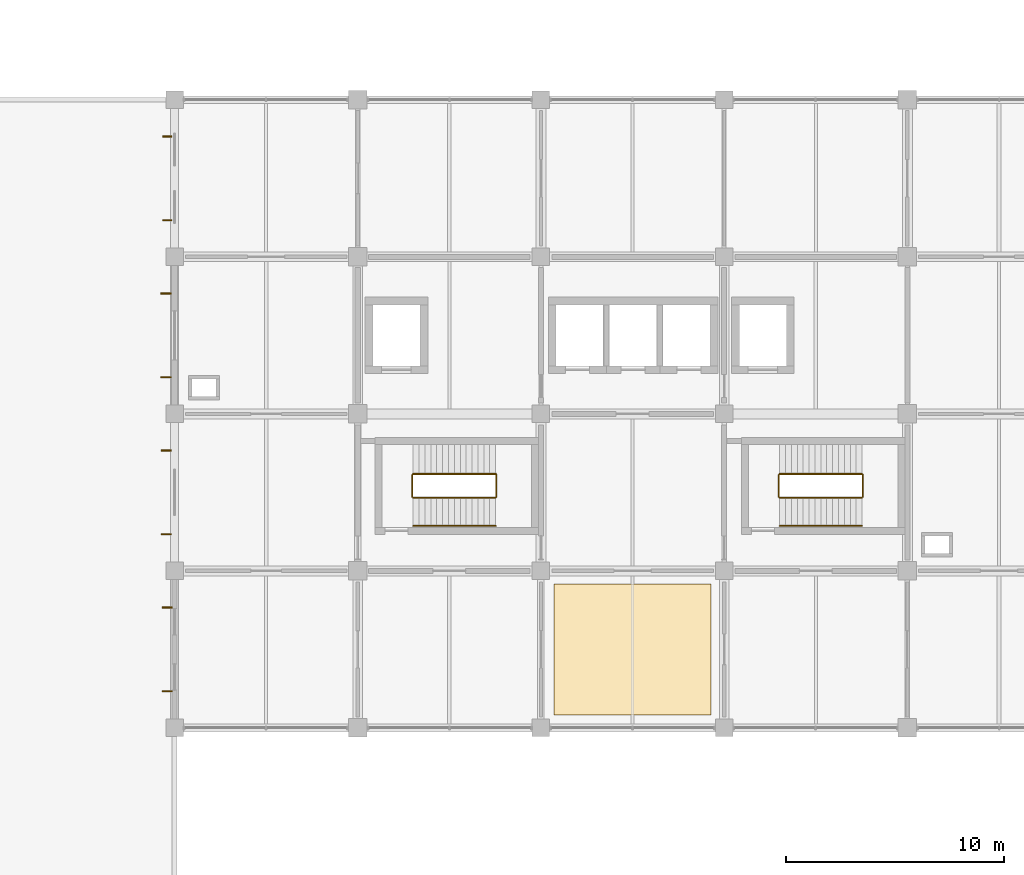
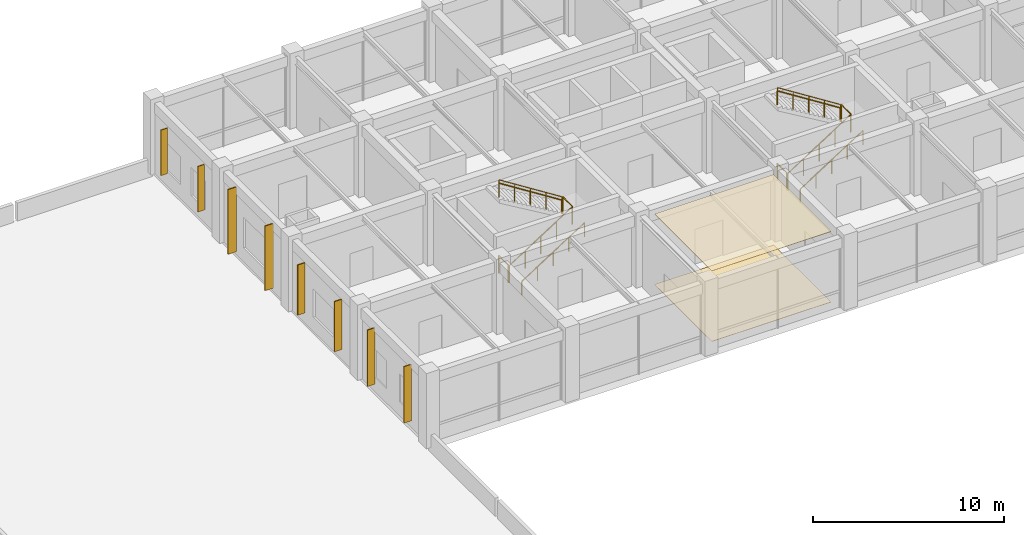
# One storey, part 44 of 45: 12 railings, 8 shading devices, 2 coverings.
"""IFC4 building model written with IfcOpenShell, lengths in metres."""

from ifc_helpers import new_model, si_unit, derived_unit, direction, frame, origin, origin_2d, place, context, subcontext, project, spatial, polyline, rectangle, circle, outline, extrude, material, layer, layer_set, type_object, element, save


model = new_model("IFC4")

# Units and contexts
model_context = context("Model", 3, precision=1e-05, world=origin(), true_north=direction((0.0, 1.0)))
body_context = subcontext(model_context, "Body", "Model", "MODEL_VIEW")
ifc_project = project(units=[si_unit("LENGTHUNIT", "METRE"), si_unit("AREAUNIT", "SQUARE_METRE"), si_unit("VOLUMEUNIT", "CUBIC_METRE"), si_unit("PLANEANGLEUNIT", "RADIAN"), si_unit("MASSUNIT", "GRAM", prefix="KILO"), derived_unit("THERMALTRANSMITTANCEUNIT", [(si_unit("MASSUNIT", "GRAM", prefix="KILO"), 1), (si_unit("TIMEUNIT", "SECOND"), -3), (si_unit("THERMODYNAMICTEMPERATUREUNIT", "KELVIN"), -1)])], contexts=[model_context])

# Site, building, storey
site_placement = place(None, origin())
site = spatial("IfcSite", under=ifc_project, at=site_placement, CompositionType="ELEMENT")
building_placement = place(site_placement, origin())
building = spatial("IfcBuilding", under=site, at=building_placement, Name="Veldstrom Oceanarium and Marine Research Institute", CompositionType="ELEMENT")
storey_placement = place(building_placement, frame((0.0, 0.0, 22.199951171875)))
storey = spatial("IfcBuildingStorey", under=building, at=storey_placement, Name="L04", CompositionType="ELEMENT", Elevation=22.199951171875)

# Coverings
ifc_material_1 = material(Name="Mineral-Fibre Acoustic Ceiling Tile", Category="gypsum")
ifc_layer_1 = layer(ifc_material_1, 0.02490234375)
ifc_layer_set_1 = layer_set([ifc_layer_1], Name="ARC-COV-CL1")
covering_type_1 = type_object("IfcCoveringType", Name="ARC-COV-CL1", PredefinedType="CEILING", material=ifc_layer_set_1)
covering_1_placement = place(storey_placement, frame((0.0, 0.0, 4.4951171875)))
element("IfcCovering", 1, at=covering_1_placement, inside=storey, type_object=covering_type_1, Name="Suspended Acoustic Ceiling L04", PredefinedType="CEILING", context=body_context, shape_type="SweptSolid", body=[
    extrude(outline(polyline([(84.60009765625, 43.800048828125), (91.800048828125, 43.800048828125), (91.800048828125, 49.800048828125), (84.60009765625, 49.800048828125), (84.60009765625, 43.800048828125)])), origin(), (0.0, 0.0, 1.0), 0.02490234375),
])
ifc_material_2 = material(Name="Polished Terrazzo and Marine Epoxy Flooring", Category="concrete")
ifc_layer_2 = layer(ifc_material_2, 0.02001953125)
ifc_layer_set_2 = layer_set([ifc_layer_2], Name="ARC-COV-FL1")
covering_type_2 = type_object("IfcCoveringType", Name="ARC-COV-FL1", PredefinedType="FLOORING", material=ifc_layer_set_2)
covering_2_placement = place(storey_placement, origin())
element("IfcCovering", 2, at=covering_2_placement, inside=storey, type_object=covering_type_2, Name="Terrazzo and Marine Epoxy Floor Finish L04", PredefinedType="FLOORING", context=body_context, shape_type="SweptSolid", body=[
    extrude(outline(polyline([(84.60009765625, 43.800048828125), (91.800048828125, 43.800048828125), (91.800048828125, 49.800048828125), (84.60009765625, 49.800048828125), (84.60009765625, 43.800048828125)])), origin(), (0.0, 0.0, 1.0), 0.02001953125),
])

# Railings
ifc_material_3 = material(Name="Duplex Stainless Steel Balustrade", Category="steel")
ifc_layer_3 = layer(ifc_material_3, 0.06005859375)
ifc_layer_set_3 = layer_set([ifc_layer_3], Name="ARC-RLG-GR1")
railing_type_1 = type_object("IfcRailingType", Name="ARC-RLG-GR1", PredefinedType="GUARDRAIL", material=ifc_layer_set_3)
railing_1_placement = place(storey_placement, frame((78.10009765625, 53.800048828125, 0.0)))
element("IfcRailing", 3, at=railing_1_placement, inside=storey, type_object=railing_type_1, Name="Stair Well Landing Guard ST1 L04", PredefinedType="GUARDRAIL", context=body_context, shape_type="SweptSolid", body=[
    extrude(circle(Radius=0.02392578125, at=origin_2d()), frame((0.0, 0.0, 1.09619140625), z_axis=(0.0, 1.0, 0.0), x_axis=(-1.0, 0.0, 0.0)), (0.0, 0.0, 1.0), 1.0),
    extrude(circle(Radius=0.02099609375, at=origin_2d()), origin(), (0.0, 0.0, 1.0), 1.072021484375),
    extrude(circle(Radius=0.02099609375, at=origin_2d()), frame((0.0, 1.0, 0.0)), (0.0, 0.0, 1.0), 1.072021484375),
])
railing_2_placement = place(storey_placement, frame((78.139892578125, 53.760009765625, 0.0)))
element("IfcRailing", 4, at=railing_2_placement, inside=storey, type_object=railing_type_1, Name="Stair Flight Guardrail ST1-L04-1", PredefinedType="GUARDRAIL", context=body_context, shape_type="SweptSolid", body=[
    extrude(circle(Radius=0.02392578125, at=origin_2d()), frame((0.0, 0.0, 1.09619140625), z_axis=(0.844199891302, 0.0, 0.536028491338), x_axis=(0.0, 1.0, 0.0)), (0.0, 0.0, 1.0), 4.4775390625),
    extrude(circle(Radius=0.02099609375, at=origin_2d()), origin(), (0.0, 0.0, 1.0), 1.072021484375),
    extrude(circle(Radius=0.02099609375, at=origin_2d()), frame((0.945068359375, 0.0, 0.60009765625)), (0.0, 0.0, 1.0), 1.072021484375),
    extrude(circle(Radius=0.02099609375, at=origin_2d()), frame((1.89013671875, 0.0, 1.2001953125)), (0.0, 0.0, 1.0), 1.072021484375),
    extrude(circle(Radius=0.02099609375, at=origin_2d()), frame((2.8349609375, 0.0, 1.800048828125)), (0.0, 0.0, 1.0), 1.072021484375),
    extrude(circle(Radius=0.02099609375, at=origin_2d()), frame((3.780029296875, 0.0, 2.400146484375)), (0.0, 0.0, 1.0), 1.072021484375),
])
railing_3_placement = place(storey_placement, frame((81.9599609375, 53.800048828125, 2.400146484375)))
element("IfcRailing", 5, at=railing_3_placement, inside=storey, type_object=railing_type_1, Name="Stair Half-Landing Guardrail ST1-L04", PredefinedType="GUARDRAIL", context=body_context, shape_type="SweptSolid", body=[
    extrude(circle(Radius=0.02392578125, at=origin_2d()), frame((0.0, 0.0, 1.09619140625), z_axis=(0.0, 1.0, 0.0), x_axis=(-1.0, 0.0, 0.0)), (0.0, 0.0, 1.0), 1.0),
    extrude(circle(Radius=0.02099609375, at=origin_2d()), origin(), (0.0, 0.0, 1.0), 1.072021484375),
    extrude(circle(Radius=0.02099609375, at=origin_2d()), frame((0.0, 1.0, 0.0)), (0.0, 0.0, 1.0), 1.072021484375),
])
railing_4_placement = place(storey_placement, frame((81.919921875, 54.840087890625, 2.400146484375)))
element("IfcRailing", 6, at=railing_4_placement, inside=storey, type_object=railing_type_1, Name="Stair Flight Guardrail ST1-L04-2", PredefinedType="GUARDRAIL", context=body_context, shape_type="SweptSolid", body=[
    extrude(circle(Radius=0.02392578125, at=origin_2d()), frame((0.0, 0.0, 1.09619140625), z_axis=(-0.844224564207, 0.0, 0.535989631606), x_axis=(0.0, -1.0, 0.0)), (0.0, 0.0, 1.0), 4.4775390625),
    extrude(circle(Radius=0.02099609375, at=origin_2d()), origin(), (0.0, 0.0, 1.0), 1.072021484375),
    extrude(circle(Radius=0.02099609375, at=origin_2d()), frame((-0.945068359375, 0.0, 0.60009765625)), (0.0, 0.0, 1.0), 1.072021484375),
    extrude(circle(Radius=0.02099609375, at=origin_2d()), frame((-1.89013671875, 0.0, 1.199951171875)), (0.0, 0.0, 1.0), 1.072021484375),
    extrude(circle(Radius=0.02099609375, at=origin_2d()), frame((-2.8349609375, 0.0, 1.7998046875)), (0.0, 0.0, 1.0), 1.072021484375),
    extrude(circle(Radius=0.02099609375, at=origin_2d()), frame((-3.780029296875, 0.0, 2.39990234375)), (0.0, 0.0, 1.0), 1.072021484375),
])
railing_5_placement = place(storey_placement, frame((94.89990234375, 53.800048828125, 0.0)))
element("IfcRailing", 7, at=railing_5_placement, inside=storey, type_object=railing_type_1, Name="Stair Well Landing Guard ST2 L04", PredefinedType="GUARDRAIL", context=body_context, shape_type="SweptSolid", body=[
    extrude(circle(Radius=0.02392578125, at=origin_2d()), frame((0.0, 0.0, 1.09619140625), z_axis=(0.0, 1.0, 0.0), x_axis=(-1.0, 0.0, 0.0)), (0.0, 0.0, 1.0), 1.0),
    extrude(circle(Radius=0.02099609375, at=origin_2d()), origin(), (0.0, 0.0, 1.0), 1.072021484375),
    extrude(circle(Radius=0.02099609375, at=origin_2d()), frame((0.0, 1.0, 0.0)), (0.0, 0.0, 1.0), 1.072021484375),
])
railing_6_placement = place(storey_placement, frame((94.93994140625, 53.760009765625, 0.0)))
element("IfcRailing", 8, at=railing_6_placement, inside=storey, type_object=railing_type_1, Name="Stair Flight Guardrail ST2-L04-1", PredefinedType="GUARDRAIL", context=body_context, shape_type="SweptSolid", body=[
    extrude(circle(Radius=0.02392578125, at=origin_2d()), frame((0.0, 0.0, 1.09619140625), z_axis=(0.844199891302, 0.0, 0.536028491338), x_axis=(0.0, 1.0, 0.0)), (0.0, 0.0, 1.0), 4.4775390625),
    extrude(circle(Radius=0.02099609375, at=origin_2d()), origin(), (0.0, 0.0, 1.0), 1.072021484375),
    extrude(circle(Radius=0.02099609375, at=origin_2d()), frame((0.945068359375, 0.0, 0.60009765625)), (0.0, 0.0, 1.0), 1.072021484375),
    extrude(circle(Radius=0.02099609375, at=origin_2d()), frame((1.89013671875, 0.0, 1.2001953125)), (0.0, 0.0, 1.0), 1.072021484375),
    extrude(circle(Radius=0.02099609375, at=origin_2d()), frame((2.8349609375, 0.0, 1.800048828125)), (0.0, 0.0, 1.0), 1.072021484375),
    extrude(circle(Radius=0.02099609375, at=origin_2d()), frame((3.780029296875, 0.0, 2.400146484375)), (0.0, 0.0, 1.0), 1.072021484375),
])
railing_7_placement = place(storey_placement, frame((98.760009765625, 53.800048828125, 2.400146484375)))
element("IfcRailing", 9, at=railing_7_placement, inside=storey, type_object=railing_type_1, Name="Stair Half-Landing Guardrail ST2-L04", PredefinedType="GUARDRAIL", context=body_context, shape_type="SweptSolid", body=[
    extrude(circle(Radius=0.02392578125, at=origin_2d()), frame((0.0, 0.0, 1.09619140625), z_axis=(0.0, 1.0, 0.0), x_axis=(-1.0, 0.0, 0.0)), (0.0, 0.0, 1.0), 1.0),
    extrude(circle(Radius=0.02099609375, at=origin_2d()), origin(), (0.0, 0.0, 1.0), 1.072021484375),
    extrude(circle(Radius=0.02099609375, at=origin_2d()), frame((0.0, 1.0, 0.0)), (0.0, 0.0, 1.0), 1.072021484375),
])
railing_8_placement = place(storey_placement, frame((98.719970703125, 54.840087890625, 2.400146484375)))
element("IfcRailing", 10, at=railing_8_placement, inside=storey, type_object=railing_type_1, Name="Stair Flight Guardrail ST2-L04-2", PredefinedType="GUARDRAIL", context=body_context, shape_type="SweptSolid", body=[
    extrude(circle(Radius=0.02392578125, at=origin_2d()), frame((0.0, 0.0, 1.09619140625), z_axis=(-0.844224564207, 0.0, 0.535989631606), x_axis=(0.0, -1.0, 0.0)), (0.0, 0.0, 1.0), 4.4775390625),
    extrude(circle(Radius=0.02099609375, at=origin_2d()), origin(), (0.0, 0.0, 1.0), 1.072021484375),
    extrude(circle(Radius=0.02099609375, at=origin_2d()), frame((-0.945068359375, 0.0, 0.60009765625)), (0.0, 0.0, 1.0), 1.072021484375),
    extrude(circle(Radius=0.02099609375, at=origin_2d()), frame((-1.89013671875, 0.0, 1.199951171875)), (0.0, 0.0, 1.0), 1.072021484375),
    extrude(circle(Radius=0.02099609375, at=origin_2d()), frame((-2.8349609375, 0.0, 1.7998046875)), (0.0, 0.0, 1.0), 1.072021484375),
    extrude(circle(Radius=0.02099609375, at=origin_2d()), frame((-3.780029296875, 0.0, 2.39990234375)), (0.0, 0.0, 1.0), 1.072021484375),
])
ifc_material_4 = material(Name="Brushed Stainless Steel Handrail", Category="steel")
ifc_layer_4 = layer(ifc_material_4, 0.050048828125)
ifc_layer_set_4 = layer_set([ifc_layer_4], Name="ARC-RLG-HR1")
railing_type_2 = type_object("IfcRailingType", Name="ARC-RLG-HR1", PredefinedType="HANDRAIL", material=ifc_layer_set_4)
railing_9_placement = place(storey_placement, frame((78.139892578125, 52.4599609375, 0.0)))
element("IfcRailing", 11, at=railing_9_placement, inside=storey, type_object=railing_type_2, Name="Stair Wall Handrail ST1-L04-1", PredefinedType="HANDRAIL", context=body_context, shape_type="SweptSolid", body=[
    extrude(circle(Radius=0.02392578125, at=origin_2d()), frame((0.0, 0.0, 0.8759765625), z_axis=(0.844199891302, 0.0, 0.536028491338), x_axis=(0.0, 1.0, 0.0)), (0.0, 0.0, 1.0), 4.4775390625),
    extrude(circle(Radius=0.02099609375, at=origin_2d()), origin(), (0.0, 0.0, 1.0), 0.851806640625),
    extrude(circle(Radius=0.02099609375, at=origin_2d()), frame((0.945068359375, 0.0, 0.60009765625)), (0.0, 0.0, 1.0), 0.851806640625),
    extrude(circle(Radius=0.02099609375, at=origin_2d()), frame((1.89013671875, 0.0, 1.2001953125)), (0.0, 0.0, 1.0), 0.851806640625),
    extrude(circle(Radius=0.02099609375, at=origin_2d()), frame((2.8349609375, 0.0, 1.800048828125)), (0.0, 0.0, 1.0), 0.851806640625),
    extrude(circle(Radius=0.02099609375, at=origin_2d()), frame((3.780029296875, 0.0, 2.400146484375)), (0.0, 0.0, 1.0), 0.851806640625),
])
railing_10_placement = place(storey_placement, frame((81.919921875, 54.860107421875, 2.400146484375)))
element("IfcRailing", 12, at=railing_10_placement, inside=storey, type_object=railing_type_2, Name="Stair Wall Handrail ST1-L04-2", PredefinedType="HANDRAIL", context=body_context, shape_type="SweptSolid", body=[
    extrude(circle(Radius=0.02392578125, at=origin_2d()), frame((0.0, 0.0, 0.8759765625), z_axis=(-0.844224564207, 0.0, 0.535989631606), x_axis=(0.0, -1.0, 0.0)), (0.0, 0.0, 1.0), 4.4775390625),
    extrude(circle(Radius=0.02099609375, at=origin_2d()), origin(), (0.0, 0.0, 1.0), 0.851806640625),
    extrude(circle(Radius=0.02099609375, at=origin_2d()), frame((-0.945068359375, 0.0, 0.60009765625)), (0.0, 0.0, 1.0), 0.851806640625),
    extrude(circle(Radius=0.02099609375, at=origin_2d()), frame((-1.89013671875, 0.0, 1.199951171875)), (0.0, 0.0, 1.0), 0.851806640625),
    extrude(circle(Radius=0.02099609375, at=origin_2d()), frame((-2.8349609375, 0.0, 1.7998046875)), (0.0, 0.0, 1.0), 0.851806640625),
    extrude(circle(Radius=0.02099609375, at=origin_2d()), frame((-3.780029296875, 0.0, 2.39990234375)), (0.0, 0.0, 1.0), 0.851806640625),
])
railing_11_placement = place(storey_placement, frame((94.93994140625, 52.4599609375, 0.0)))
element("IfcRailing", 13, at=railing_11_placement, inside=storey, type_object=railing_type_2, Name="Stair Wall Handrail ST2-L04-1", PredefinedType="HANDRAIL", context=body_context, shape_type="SweptSolid", body=[
    extrude(circle(Radius=0.02392578125, at=origin_2d()), frame((0.0, 0.0, 0.8759765625), z_axis=(0.844199891302, 0.0, 0.536028491338), x_axis=(0.0, 1.0, 0.0)), (0.0, 0.0, 1.0), 4.4775390625),
    extrude(circle(Radius=0.02099609375, at=origin_2d()), origin(), (0.0, 0.0, 1.0), 0.851806640625),
    extrude(circle(Radius=0.02099609375, at=origin_2d()), frame((0.945068359375, 0.0, 0.60009765625)), (0.0, 0.0, 1.0), 0.851806640625),
    extrude(circle(Radius=0.02099609375, at=origin_2d()), frame((1.89013671875, 0.0, 1.2001953125)), (0.0, 0.0, 1.0), 0.851806640625),
    extrude(circle(Radius=0.02099609375, at=origin_2d()), frame((2.8349609375, 0.0, 1.800048828125)), (0.0, 0.0, 1.0), 0.851806640625),
    extrude(circle(Radius=0.02099609375, at=origin_2d()), frame((3.780029296875, 0.0, 2.400146484375)), (0.0, 0.0, 1.0), 0.851806640625),
])
railing_12_placement = place(storey_placement, frame((98.719970703125, 54.860107421875, 2.400146484375)))
element("IfcRailing", 14, at=railing_12_placement, inside=storey, type_object=railing_type_2, Name="Stair Wall Handrail ST2-L04-2", PredefinedType="HANDRAIL", context=body_context, shape_type="SweptSolid", body=[
    extrude(circle(Radius=0.02392578125, at=origin_2d()), frame((0.0, 0.0, 0.8759765625), z_axis=(-0.844224564207, 0.0, 0.535989631606), x_axis=(0.0, -1.0, 0.0)), (0.0, 0.0, 1.0), 4.4775390625),
    extrude(circle(Radius=0.02099609375, at=origin_2d()), origin(), (0.0, 0.0, 1.0), 0.851806640625),
    extrude(circle(Radius=0.02099609375, at=origin_2d()), frame((-0.945068359375, 0.0, 0.60009765625)), (0.0, 0.0, 1.0), 0.851806640625),
    extrude(circle(Radius=0.02099609375, at=origin_2d()), frame((-1.89013671875, 0.0, 1.199951171875)), (0.0, 0.0, 1.0), 0.851806640625),
    extrude(circle(Radius=0.02099609375, at=origin_2d()), frame((-2.8349609375, 0.0, 1.7998046875)), (0.0, 0.0, 1.0), 0.851806640625),
    extrude(circle(Radius=0.02099609375, at=origin_2d()), frame((-3.780029296875, 0.0, 2.39990234375)), (0.0, 0.0, 1.0), 0.851806640625),
])

# Shading devices
ifc_material_5 = material(Name="Precast Terracotta Brise-Soleil Louvre", Category="masonry")
ifc_layer_5 = layer(ifc_material_5, 3.60009765625)
ifc_layer_set_5 = layer_set([ifc_layer_5], Name="ARC-SHD-BS01")
shading_device_type_1 = type_object("IfcShadingDeviceType", Name="ARC-SHD-BS01", PredefinedType="JALOUSIE", material=ifc_layer_set_5)
for number, where, z_axis, x_axis, name in (
    (15, (66.87255859375, 44.8798828125, 0.4599609375), (0.0, 0.0, 1.0), (1.0, 0.0, 0.0), "Terracotta Brise-Soleil Louvre L04-096"),
    (16, (66.87255859375, 48.719970703125, 0.4599609375), (0.0, 0.0, 1.0), (1.0, 0.0, 0.0), "Terracotta Brise-Soleil Louvre L04-096"),
):
    element("IfcShadingDevice", number, at=place(storey_placement, frame(where, z_axis=z_axis, x_axis=x_axis)), inside=storey, type_object=shading_device_type_1, Name=name, PredefinedType="JALOUSIE", context=body_context, shape_type="SweptSolid", body=[
        extrude(rectangle(XDim=0.449951171875, YDim=0.06005859375, at=origin_2d()), origin(), (0.0, 0.0, 1.0), 3.60009765625),
    ])
ifc_material_6 = material(Name="Precast Terracotta Brise-Soleil Louvre", Category="masonry")
ifc_layer_6 = layer(ifc_material_6, 3.199951171875)
ifc_layer_set_6 = layer_set([ifc_layer_6], Name="ARC-SHD-BS02")
shading_device_type_2 = type_object("IfcShadingDeviceType", Name="ARC-SHD-BS02", PredefinedType="JALOUSIE", material=ifc_layer_set_6)
for number, where, z_axis, x_axis, name in (
    (17, (66.824951171875, 52.080078125, 0.66015625), (0.0, 0.0, 1.0), (1.0, 0.0, 0.0), "Terracotta Brise-Soleil Louvre L04-097"),
    (18, (66.824951171875, 55.919921875, 0.66015625), (0.0, 0.0, 1.0), (1.0, 0.0, 0.0), "Terracotta Brise-Soleil Louvre L04-097"),
):
    element("IfcShadingDevice", number, at=place(storey_placement, frame(where, z_axis=z_axis, x_axis=x_axis)), inside=storey, type_object=shading_device_type_2, Name=name, PredefinedType="JALOUSIE", context=body_context, shape_type="SweptSolid", body=[
        extrude(rectangle(XDim=0.449951171875, YDim=0.06005859375, at=origin_2d()), origin(), (0.0, 0.0, 1.0), 3.199951171875),
    ])
ifc_material_7 = material(Name="Precast Terracotta Brise-Soleil Louvre", Category="masonry")
ifc_layer_7 = layer(ifc_material_7, 4.199951171875)
ifc_layer_set_7 = layer_set([ifc_layer_7], Name="ARC-SHD-BS03")
shading_device_type_3 = type_object("IfcShadingDeviceType", Name="ARC-SHD-BS03", PredefinedType="JALOUSIE", material=ifc_layer_set_7)
for number, where, z_axis, x_axis, name in (
    (19, (66.81005859375, 59.280029296875, 0.199951171875), (0.0, 0.0, 1.0), (1.0, 0.0, 0.0), "Terracotta Brise-Soleil Louvre L04-098"),
    (20, (66.81005859375, 63.1201171875, 0.199951171875), (0.0, 0.0, 1.0), (1.0, 0.0, 0.0), "Terracotta Brise-Soleil Louvre L04-098"),
):
    element("IfcShadingDevice", number, at=place(storey_placement, frame(where, z_axis=z_axis, x_axis=x_axis)), inside=storey, type_object=shading_device_type_3, Name=name, PredefinedType="JALOUSIE", context=body_context, shape_type="SweptSolid", body=[
        extrude(rectangle(XDim=0.5, YDim=0.06494140625, at=origin_2d()), origin(), (0.0, 0.0, 1.0), 4.1201171875),
    ])
ifc_material_8 = material(Name="Precast Terracotta Brise-Soleil Louvre", Category="masonry")
ifc_layer_8 = layer(ifc_material_8, 2.89990234375)
ifc_layer_set_8 = layer_set([ifc_layer_8], Name="ARC-SHD-BS04")
shading_device_type_4 = type_object("IfcShadingDeviceType", Name="ARC-SHD-BS04", PredefinedType="JALOUSIE", material=ifc_layer_set_8)
for number, where, z_axis, x_axis, name in (
    (21, (66.8701171875, 66.47998046875, 0.81005859375), (0.0, 0.0, 1.0), (1.0, 0.0, 0.0), "Terracotta Brise-Soleil Louvre L04-099"),
    (22, (66.8701171875, 70.320068359375, 0.81005859375), (0.0, 0.0, 1.0), (1.0, 0.0, 0.0), "Terracotta Brise-Soleil Louvre L04-099"),
):
    element("IfcShadingDevice", number, at=place(storey_placement, frame(where, z_axis=z_axis, x_axis=x_axis)), inside=storey, type_object=shading_device_type_4, Name=name, PredefinedType="JALOUSIE", context=body_context, shape_type="SweptSolid", body=[
        extrude(rectangle(XDim=0.39990234375, YDim=0.054931640625, at=origin_2d()), origin(), (0.0, 0.0, 1.0), 2.89990234375),
    ])

save(model, "model.ifc")
